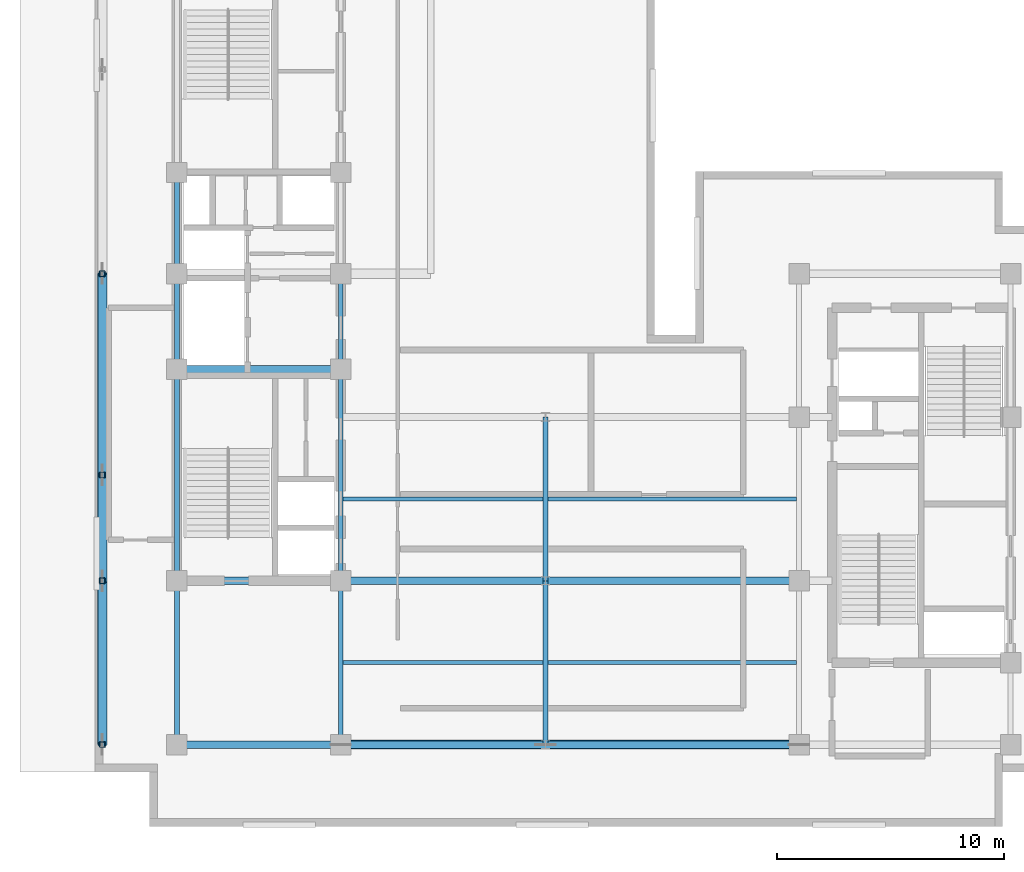
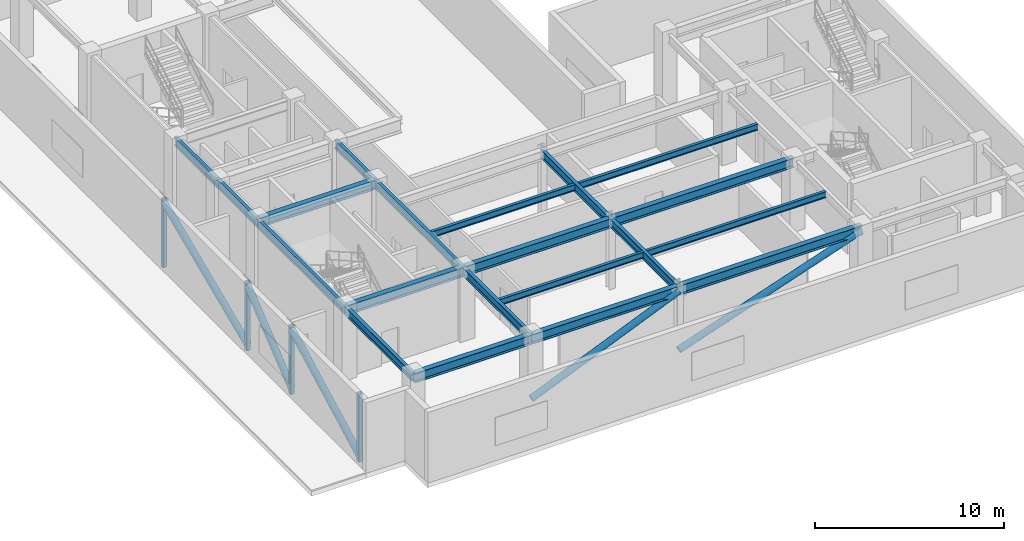
# One storey, part 3 of 13: 20 beams, 9 members.
"""IFC4 building model written with IfcOpenShell, lengths in metres."""

from ifc_helpers import new_model, entity, si_unit, converted_unit, direction, frame, origin_with_axes, origin_2d_with_axis, place, context, subcontext, project, spatial, hollow_rectangle, hollow_circle, i_section, extrude, material, material_profile, profile_set, type_object, element, save


model = new_model("IFC4")

# Units and contexts
model_context = context("Model", 3, precision=1e-05, world=origin_with_axes(), true_north=direction((0.0, 1.0)))
body_context = subcontext(model_context, "Body", "Model", "MODEL_VIEW")
ifc_project = project(units=[si_unit("LENGTHUNIT", "METRE"), si_unit("AREAUNIT", "SQUARE_METRE"), si_unit("VOLUMEUNIT", "CUBIC_METRE"), converted_unit("PLANEANGLEUNIT", "DEGREE", entity("IfcPlaneAngleMeasure", 0.017453292519943295), si_unit("PLANEANGLEUNIT", "RADIAN"), dimensions=[0, 0, 0, 0, 0, 0, 0]), si_unit("MASSUNIT", "GRAM", prefix="KILO"), si_unit("THERMODYNAMICTEMPERATUREUNIT", "KELVIN")], contexts=[model_context])

# Site, building, storey
site_placement = place(None, origin_with_axes())
site = spatial("IfcSite", under=ifc_project, at=site_placement, CompositionType="ELEMENT")
building_placement = place(site_placement, origin_with_axes())
building = spatial("IfcBuilding", under=site, at=building_placement, Name="Varnlund Millrace Tower", CompositionType="ELEMENT")
storey_placement = place(building_placement, frame((0.0, 0.0, 248.1), z_axis=(0.0, 0.0, 1.0), x_axis=(1.0, 0.0, 0.0)))
storey = spatial("IfcBuildingStorey", under=building, at=storey_placement, Name="L61", CompositionType="ELEMENT", Elevation=248.1)

# Beams
ifc_material_1 = material(Name="Steel ASTM A992 Grade 50", Category="steel")
ifc_material_profile_1 = material_profile(ifc_material_1, i_section(OverallWidth=0.214, OverallDepth=0.549, WebThickness=0.0147, FlangeThickness=0.0236, FilletRadius=0.015, at=origin_2d_with_axis()), Name="Steel ASTM A992 Grade 50")
ifc_profile_set_1 = profile_set([ifc_material_profile_1], Name="Steel ASTM A992 Grade 50")
beam_type_1 = type_object("IfcBeamType", Name="Type-Beam-W21X93", PredefinedType="BEAM", material=ifc_profile_set_1)
beam_1_placement = place(storey_placement, frame((11.4, 3.6, 4.2855), z_axis=(0.0, 1.0, 0.0), x_axis=(-1.0, 0.0, 0.0)))
element("IfcBeam", 1, at=beam_1_placement, inside=storey, type_object=beam_type_1, Name="Type-Beam-W21X93", PredefinedType="BEAM", context=body_context, shape_type="SweptSolid", body=[
    extrude(i_section(OverallWidth=0.214, OverallDepth=0.549, WebThickness=0.0147, FlangeThickness=0.0236, FilletRadius=0.015, at=origin_2d_with_axis()), origin_with_axes(), (0.0, 0.0, 1.0), 7.2),
])
beam_2_placement = place(storey_placement, frame((11.4, 10.8, 4.2855), z_axis=(0.0, 1.0, 0.0), x_axis=(-1.0, 0.0, 0.0)))
element("IfcBeam", 2, at=beam_2_placement, inside=storey, type_object=beam_type_1, Name="Type-Beam-W21X93", PredefinedType="BEAM", context=body_context, shape_type="SweptSolid", body=[
    extrude(i_section(OverallWidth=0.214, OverallDepth=0.549, WebThickness=0.0147, FlangeThickness=0.0236, FilletRadius=0.015, at=origin_2d_with_axis()), origin_with_axes(), (0.0, 0.0, 1.0), 9.3),
])
beam_3_placement = place(storey_placement, frame((11.4, 20.1, 4.2855), z_axis=(0.0, 1.0, 0.0), x_axis=(-1.0, 0.0, 0.0)))
element("IfcBeam", 3, at=beam_3_placement, inside=storey, type_object=beam_type_1, Name="Type-Beam-W21X93", PredefinedType="BEAM", context=body_context, shape_type="SweptSolid", body=[
    extrude(i_section(OverallWidth=0.214, OverallDepth=0.549, WebThickness=0.0147, FlangeThickness=0.0236, FilletRadius=0.015, at=origin_2d_with_axis()), origin_with_axes(), (0.0, 0.0, 1.0), 4.2),
])
beam_4_placement = place(storey_placement, frame((11.4, 24.3, 4.2855), z_axis=(0.0, 1.0, 0.0), x_axis=(-1.0, 0.0, 0.0)))
element("IfcBeam", 4, at=beam_4_placement, inside=storey, type_object=beam_type_1, Name="Type-Beam-W21X93", PredefinedType="BEAM", context=body_context, shape_type="SweptSolid", body=[
    extrude(i_section(OverallWidth=0.214, OverallDepth=0.549, WebThickness=0.0147, FlangeThickness=0.0236, FilletRadius=0.015, at=origin_2d_with_axis()), origin_with_axes(), (0.0, 0.0, 1.0), 4.45),
])
beam_5_placement = place(storey_placement, frame((18.6, 3.6, 4.2855), z_axis=(0.0, 1.0, 0.0), x_axis=(-1.0, 0.0, 0.0)))
element("IfcBeam", 5, at=beam_5_placement, inside=storey, type_object=beam_type_1, Name="Type-Beam-W21X93", PredefinedType="BEAM", context=body_context, shape_type="SweptSolid", body=[
    extrude(i_section(OverallWidth=0.214, OverallDepth=0.549, WebThickness=0.0147, FlangeThickness=0.0236, FilletRadius=0.015, at=origin_2d_with_axis()), origin_with_axes(), (0.0, 0.0, 1.0), 7.2),
])
beam_6_placement = place(storey_placement, frame((18.6, 10.8, 4.2855), z_axis=(0.0, 1.0, 0.0), x_axis=(-1.0, 0.0, 0.0)))
element("IfcBeam", 6, at=beam_6_placement, inside=storey, type_object=beam_type_1, Name="Type-Beam-W21X93", PredefinedType="BEAM", context=body_context, shape_type="SweptSolid", body=[
    extrude(i_section(OverallWidth=0.214, OverallDepth=0.549, WebThickness=0.0147, FlangeThickness=0.0236, FilletRadius=0.015, at=origin_2d_with_axis()), origin_with_axes(), (0.0, 0.0, 1.0), 9.3),
])
beam_7_placement = place(storey_placement, frame((18.6, 20.1, 4.2855), z_axis=(0.0, 1.0, 0.0), x_axis=(-1.0, 0.0, 0.0)))
element("IfcBeam", 7, at=beam_7_placement, inside=storey, type_object=beam_type_1, Name="Type-Beam-W21X93", PredefinedType="BEAM", context=body_context, shape_type="SweptSolid", body=[
    extrude(i_section(OverallWidth=0.214, OverallDepth=0.549, WebThickness=0.0147, FlangeThickness=0.0236, FilletRadius=0.015, at=origin_2d_with_axis()), origin_with_axes(), (0.0, 0.0, 1.0), 4.2),
])
for number, where, z_axis, x_axis, name in (
    (8, (27.6, 3.6, 4.2855), (0.0, 1.0, 0.0), (-1.0, 0.0, 0.0), "Type-Beam-W21X93"),
    (9, (27.6, 10.8, 4.2855), (0.0, 1.0, 0.0), (-1.0, 0.0, 0.0), "Type-Beam-W21X93"),
):
    element("IfcBeam", number, at=place(storey_placement, frame(where, z_axis=z_axis, x_axis=x_axis)), inside=storey, type_object=beam_type_1, Name=name, PredefinedType="BEAM", context=body_context, shape_type="SweptSolid", body=[
        extrude(i_section(OverallWidth=0.214, OverallDepth=0.549, WebThickness=0.0147, FlangeThickness=0.0236, FilletRadius=0.015, at=origin_2d_with_axis()), origin_with_axes(), (0.0, 0.0, 1.0), 7.2),
    ])

# Members
ifc_material_2 = material(Name="Steel ASTM A500 Grade C", Category="steel")
ifc_material_profile_2 = material_profile(ifc_material_2, hollow_circle(Radius=0.203, WallThickness=0.0147, at=origin_2d_with_axis()), Name="Steel ASTM A500 Grade C")
ifc_profile_set_2 = profile_set([ifc_material_profile_2], Name="Steel ASTM A500 Grade C")
member_type_1 = type_object("IfcMemberType", Name="Type-Belt-Brace-CHS406", PredefinedType="BRACE", material=ifc_profile_set_2)
member_1_placement = place(storey_placement, frame((8.12, 3.6, 0.35), z_axis=(0.0, 0.884385, 0.466759), x_axis=(-1.0, 0.0, 0.0)))
element("IfcMember", 10, at=member_1_placement, inside=storey, type_object=member_type_1, Name="Type-Belt-Brace-CHS406", PredefinedType="BRACE", context=body_context, shape_type="SweptSolid", body=[
    extrude(hollow_circle(Radius=0.203, WallThickness=0.0147, at=origin_2d_with_axis()), origin_with_axes(), (0.0, 0.0, 1.0), 8.141253),
])
member_2_placement = place(storey_placement, frame((8.12, 10.8, 0.35), z_axis=(0.0, 0.774328, 0.632784), x_axis=(-1.0, 0.0, 0.0)))
element("IfcMember", 11, at=member_2_placement, inside=storey, type_object=member_type_1, Name="Type-Belt-Brace-CHS406", PredefinedType="BRACE", context=body_context, shape_type="SweptSolid", body=[
    extrude(hollow_circle(Radius=0.203, WallThickness=0.0147, at=origin_2d_with_axis()), origin_with_axes(), (0.0, 0.0, 1.0), 6.005206),
])
member_3_placement = place(storey_placement, frame((8.12, 15.45, 0.35), z_axis=(0.0, 0.918876, 0.394546), x_axis=(-1.0, 0.0, 0.0)))
element("IfcMember", 12, at=member_3_placement, inside=storey, type_object=member_type_1, Name="Type-Belt-Brace-CHS406", PredefinedType="BRACE", context=body_context, shape_type="SweptSolid", body=[
    extrude(hollow_circle(Radius=0.203, WallThickness=0.0147, at=origin_2d_with_axis()), origin_with_axes(), (0.0, 0.0, 1.0), 9.631329),
])
member_4_placement = place(storey_placement, frame((18.6, 3.6, 0.35), z_axis=(0.92125, 0.0, 0.388972), x_axis=(0.0, 1.0, 0.0)))
element("IfcMember", 13, at=member_4_placement, inside=storey, type_object=member_type_1, Name="Type-Belt-Brace-CHS406", PredefinedType="BRACE", context=body_context, shape_type="SweptSolid", body=[
    extrude(hollow_circle(Radius=0.203, WallThickness=0.0147, at=origin_2d_with_axis()), origin_with_axes(), (0.0, 0.0, 1.0), 9.76934),
])
member_5_placement = place(storey_placement, frame((27.6, 3.6, 0.35), z_axis=(0.94654, 0.0, 0.322588), x_axis=(0.0, 1.0, 0.0)))
element("IfcMember", 14, at=member_5_placement, inside=storey, type_object=member_type_1, Name="Type-Belt-Brace-CHS406", PredefinedType="BRACE", context=body_context, shape_type="SweptSolid", body=[
    extrude(hollow_circle(Radius=0.203, WallThickness=0.0147, at=origin_2d_with_axis()), origin_with_axes(), (0.0, 0.0, 1.0), 11.77975),
])
ifc_material_profile_3 = material_profile(ifc_material_2, hollow_rectangle(XDim=0.254, YDim=0.254, WallThickness=0.0147, InnerFilletRadius=0.015, OuterFilletRadius=0.03, at=origin_2d_with_axis()), Name="Steel ASTM A500 Grade C")
ifc_profile_set_3 = profile_set([ifc_material_profile_3], Name="Steel ASTM A500 Grade C")
member_type_2 = type_object("IfcMemberType", Name="Type-Crown-Strut-HSS10", PredefinedType="STRUT", material=ifc_profile_set_3)
for number, where, z_axis, x_axis, name in (
    (15, (8.12, 3.6, 0.0), (0.0, 0.0, 1.0), (1.0, 0.0, 0.0), "Type-Crown-Strut-HSS10"),
    (16, (8.12, 10.8, 0.0), (0.0, 0.0, 1.0), (1.0, 0.0, 0.0), "Type-Crown-Strut-HSS10"),
    (17, (8.12, 15.45, 0.0), (0.0, 0.0, 1.0), (1.0, 0.0, 0.0), "Type-Crown-Strut-HSS10"),
    (18, (8.12, 24.3, 0.0), (0.0, 0.0, 1.0), (1.0, 0.0, 0.0), "Type-Crown-Strut-HSS10"),
):
    element("IfcMember", number, at=place(storey_placement, frame(where, z_axis=z_axis, x_axis=x_axis)), inside=storey, type_object=member_type_2, Name=name, PredefinedType="STRUT", context=body_context, shape_type="SweptSolid", body=[
        extrude(hollow_rectangle(XDim=0.254, YDim=0.254, WallThickness=0.0147, InnerFilletRadius=0.015, OuterFilletRadius=0.03, at=origin_2d_with_axis()), origin_with_axes(), (0.0, 0.0, 1.0), 4.4),
    ])

# Beams
ifc_material_profile_4 = material_profile(ifc_material_1, i_section(OverallWidth=0.324, OverallDepth=0.611, WebThickness=0.0127, FlangeThickness=0.0191, FilletRadius=0.016, at=origin_2d_with_axis()), Name="Steel ASTM A992 Grade 50")
ifc_profile_set_4 = profile_set([ifc_material_profile_4], Name="Steel ASTM A992 Grade 50")
beam_type_2 = type_object("IfcBeamType", Name="Type-Girder-W24X104", PredefinedType="USERDEFINED", material=ifc_profile_set_4)
beam_8_placement = place(storey_placement, frame((11.4, 3.6, 4.2545), z_axis=(1.0, 0.0, 0.0), x_axis=(0.0, 1.0, 0.0)))
element("IfcBeam", 19, at=beam_8_placement, inside=storey, type_object=beam_type_2, Name="Type-Girder-W24X104", ObjectType="GIRDER", PredefinedType="USERDEFINED", context=body_context, shape_type="SweptSolid", body=[
    extrude(i_section(OverallWidth=0.324, OverallDepth=0.611, WebThickness=0.0127, FlangeThickness=0.0191, FilletRadius=0.016, at=origin_2d_with_axis()), origin_with_axes(), (0.0, 0.0, 1.0), 7.2),
])
beam_9_placement = place(storey_placement, frame((18.6, 3.6, 4.2545), z_axis=(1.0, 0.0, 0.0), x_axis=(0.0, 1.0, 0.0)))
element("IfcBeam", 20, at=beam_9_placement, inside=storey, type_object=beam_type_2, Name="Type-Girder-W24X104", ObjectType="GIRDER", PredefinedType="USERDEFINED", context=body_context, shape_type="SweptSolid", body=[
    extrude(i_section(OverallWidth=0.324, OverallDepth=0.611, WebThickness=0.0127, FlangeThickness=0.0191, FilletRadius=0.016, at=origin_2d_with_axis()), origin_with_axes(), (0.0, 0.0, 1.0), 9.0),
])
beam_10_placement = place(storey_placement, frame((27.6, 3.6, 4.2545), z_axis=(1.0, 0.0, 0.0), x_axis=(0.0, 1.0, 0.0)))
element("IfcBeam", 21, at=beam_10_placement, inside=storey, type_object=beam_type_2, Name="Type-Girder-W24X104", ObjectType="GIRDER", PredefinedType="USERDEFINED", context=body_context, shape_type="SweptSolid", body=[
    extrude(i_section(OverallWidth=0.324, OverallDepth=0.611, WebThickness=0.0127, FlangeThickness=0.0191, FilletRadius=0.016, at=origin_2d_with_axis()), origin_with_axes(), (0.0, 0.0, 1.0), 11.15),
])
beam_11_placement = place(storey_placement, frame((11.4, 10.8, 4.2545), z_axis=(1.0, 0.0, 0.0), x_axis=(0.0, 1.0, 0.0)))
element("IfcBeam", 22, at=beam_11_placement, inside=storey, type_object=beam_type_2, Name="Type-Girder-W24X104", ObjectType="GIRDER", PredefinedType="USERDEFINED", context=body_context, shape_type="SweptSolid", body=[
    extrude(i_section(OverallWidth=0.324, OverallDepth=0.611, WebThickness=0.0127, FlangeThickness=0.0191, FilletRadius=0.016, at=origin_2d_with_axis()), origin_with_axes(), (0.0, 0.0, 1.0), 7.2),
])
beam_12_placement = place(storey_placement, frame((18.6, 10.8, 4.2545), z_axis=(1.0, 0.0, 0.0), x_axis=(0.0, 1.0, 0.0)))
element("IfcBeam", 23, at=beam_12_placement, inside=storey, type_object=beam_type_2, Name="Type-Girder-W24X104", ObjectType="GIRDER", PredefinedType="USERDEFINED", context=body_context, shape_type="SweptSolid", body=[
    extrude(i_section(OverallWidth=0.324, OverallDepth=0.611, WebThickness=0.0127, FlangeThickness=0.0191, FilletRadius=0.016, at=origin_2d_with_axis()), origin_with_axes(), (0.0, 0.0, 1.0), 9.0),
])
beam_13_placement = place(storey_placement, frame((27.6, 10.8, 4.2545), z_axis=(1.0, 0.0, 0.0), x_axis=(0.0, 1.0, 0.0)))
element("IfcBeam", 24, at=beam_13_placement, inside=storey, type_object=beam_type_2, Name="Type-Girder-W24X104", ObjectType="GIRDER", PredefinedType="USERDEFINED", context=body_context, shape_type="SweptSolid", body=[
    extrude(i_section(OverallWidth=0.324, OverallDepth=0.611, WebThickness=0.0127, FlangeThickness=0.0191, FilletRadius=0.016, at=origin_2d_with_axis()), origin_with_axes(), (0.0, 0.0, 1.0), 11.15),
])
beam_14_placement = place(storey_placement, frame((11.4, 20.1, 4.2545), z_axis=(1.0, 0.0, 0.0), x_axis=(0.0, 1.0, 0.0)))
element("IfcBeam", 25, at=beam_14_placement, inside=storey, type_object=beam_type_2, Name="Type-Girder-W24X104", ObjectType="GIRDER", PredefinedType="USERDEFINED", context=body_context, shape_type="SweptSolid", body=[
    extrude(i_section(OverallWidth=0.324, OverallDepth=0.611, WebThickness=0.0127, FlangeThickness=0.0191, FilletRadius=0.016, at=origin_2d_with_axis()), origin_with_axes(), (0.0, 0.0, 1.0), 7.2),
])
ifc_material_profile_5 = material_profile(ifc_material_1, i_section(OverallWidth=0.178, OverallDepth=0.403, WebThickness=0.0075, FlangeThickness=0.0109, FilletRadius=0.011, at=origin_2d_with_axis()), Name="Steel ASTM A992 Grade 50")
ifc_profile_set_5 = profile_set([ifc_material_profile_5], Name="Steel ASTM A992 Grade 50")
beam_type_3 = type_object("IfcBeamType", Name="Type-Joist-W16X36", PredefinedType="JOIST", material=ifc_profile_set_5)
for number, where, z_axis, x_axis, name in (
    (26, (18.707, 7.2, 4.3585), (1.0, 0.0, 0.0), (0.0, 1.0, 0.0), "Type-Joist-W16X36"),
    (27, (18.707, 14.4, 4.3585), (1.0, 0.0, 0.0), (0.0, 1.0, 0.0), "Type-Joist-W16X36"),
):
    element("IfcBeam", number, at=place(storey_placement, frame(where, z_axis=z_axis, x_axis=x_axis)), inside=storey, type_object=beam_type_3, Name=name, PredefinedType="JOIST", context=body_context, shape_type="SweptSolid", body=[
        extrude(i_section(OverallWidth=0.178, OverallDepth=0.403, WebThickness=0.0075, FlangeThickness=0.0109, FilletRadius=0.011, at=origin_2d_with_axis()), origin_with_axes(), (0.0, 0.0, 1.0), 8.786),
    ])
for number, where, z_axis, x_axis, name in (
    (28, (27.707, 7.2, 4.3585), (1.0, 0.0, 0.0), (0.0, 1.0, 0.0), "Type-Joist-W16X36"),
    (29, (27.707, 14.4, 4.3585), (1.0, 0.0, 0.0), (0.0, 1.0, 0.0), "Type-Joist-W16X36"),
):
    element("IfcBeam", number, at=place(storey_placement, frame(where, z_axis=z_axis, x_axis=x_axis)), inside=storey, type_object=beam_type_3, Name=name, PredefinedType="JOIST", context=body_context, shape_type="SweptSolid", body=[
        extrude(i_section(OverallWidth=0.178, OverallDepth=0.403, WebThickness=0.0075, FlangeThickness=0.0109, FilletRadius=0.011, at=origin_2d_with_axis()), origin_with_axes(), (0.0, 0.0, 1.0), 10.936),
    ])

save(model, "model.ifc")
